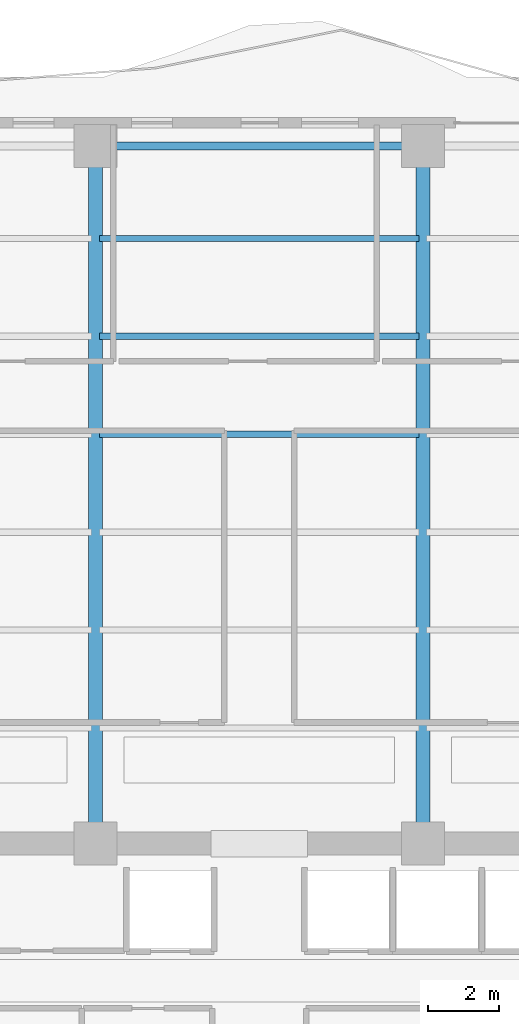
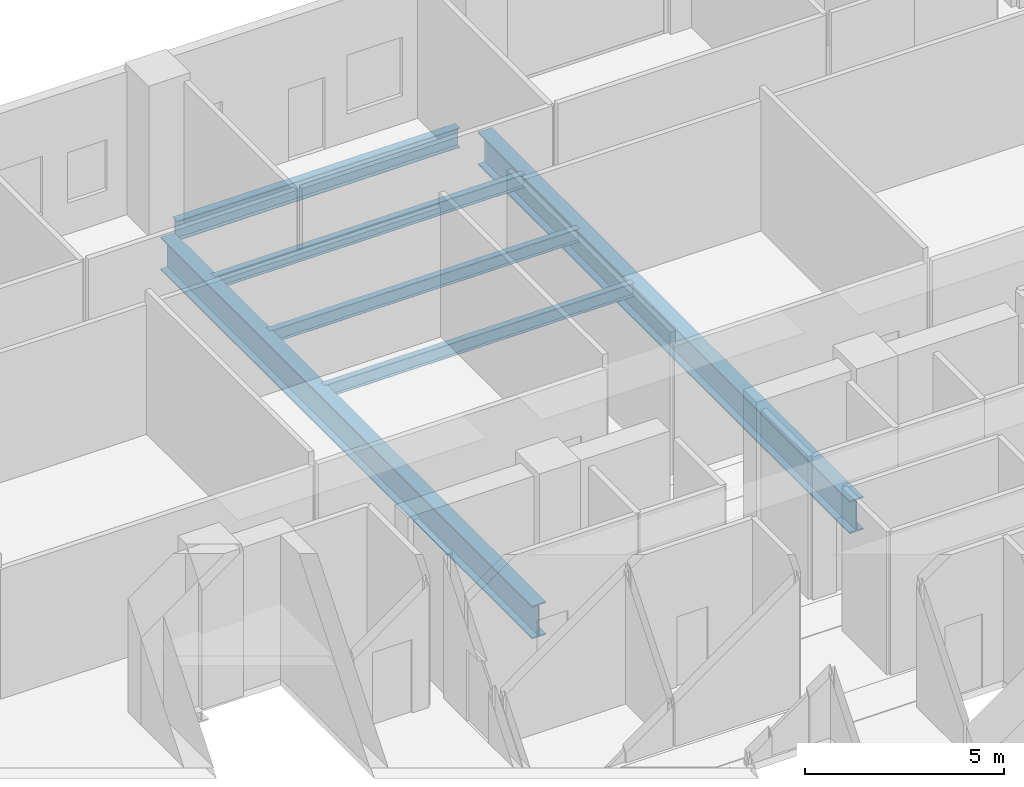
# One storey, part 18 of 31: 6 beams.
"""IFC4 building model written with IfcOpenShell, lengths in metres."""

from ifc_helpers import new_model, si_unit, direction, frame, origin, origin_2d, place, context, subcontext, project, spatial, i_section, extrude, material, material_profile, profile_set, type_object, element, save


model = new_model("IFC4")

# Units and contexts
model_context = context("Model", 3, precision=1e-05, world=origin(), true_north=direction((0.0, 1.0)))
body_context = subcontext(model_context, "Body", "Model", "MODEL_VIEW")
ifc_project = project(units=[si_unit("LENGTHUNIT", "METRE"), si_unit("AREAUNIT", "SQUARE_METRE"), si_unit("VOLUMEUNIT", "CUBIC_METRE"), si_unit("PLANEANGLEUNIT", "RADIAN"), si_unit("MASSUNIT", "GRAM", prefix="KILO")], contexts=[model_context])

# Site, building, storey
site_placement = place(None, origin())
site = spatial("IfcSite", under=ifc_project, at=site_placement, CompositionType="ELEMENT")
building_placement = place(site_placement, origin())
building = spatial("IfcBuilding", under=site, at=building_placement, Name="Zuhayl Quay Hotel", CompositionType="ELEMENT")
storey_placement = place(building_placement, frame((0.0, 0.0, 172.800048828125)))
storey = spatial("IfcBuildingStorey", under=building, at=storey_placement, Name="L43", CompositionType="ELEMENT", Elevation=172.800048828125)

# Beams
ifc_material = material(Name="Steel ASTM A992 Grade 50", Category="steel")
ifc_material_profile_1 = material_profile(ifc_material, i_section(OverallWidth=0.22802734375, OverallDepth=0.60693359375, WebThickness=0.01123046875, FlangeThickness=0.017333984375, at=origin_2d()), Name="W24X76")
ifc_profile_set_1 = profile_set([ifc_material_profile_1], Name="Steel ASTM A992 Grade 50")
beam_type_1 = type_object("IfcBeamType", Name="BM_B3_W24X76", PredefinedType="BEAM", material=ifc_profile_set_1)
beam_placement = place(storey_placement, frame((4.10009765625, 32.949951171875, -0.5234375), z_axis=(-1.0, 0.0, 0.0), x_axis=(0.0, -1.0, 0.0)))
element("IfcBeam", 1, at=beam_placement, inside=storey, type_object=beam_type_1, Name="L43 Floor Beam RG_L43_08", PredefinedType="BEAM", context=body_context, shape_type="SweptSolid", body=[
    extrude(i_section(OverallWidth=0.22802734375, OverallDepth=0.60693359375, WebThickness=0.01123046875, FlangeThickness=0.017333984375, at=origin_2d()), origin(), (0.0, 0.0, 1.0), 8.2001953125),
])
ifc_material_profile_2 = material_profile(ifc_material, i_section(OverallWidth=0.177978515625, OverallDepth=0.406005859375, WebThickness=0.0078125, FlangeThickness=0.0126953125, at=origin_2d()), Name="W16X40")
ifc_profile_set_2 = profile_set([ifc_material_profile_2], Name="Steel ASTM A992 Grade 50")
beam_type_2 = type_object("IfcBeamType", Name="BM_J2B_W16X40", PredefinedType="JOIST", material=ifc_profile_set_2)
for number, where, z_axis, x_axis, name in (
    (2, (-4.493896484375, 24.85009765625, -0.423095703125), (1.0, 0.0, 0.0), (0.0, 1.0, 0.0), "L43 Floor Beam FJ_L43_4_2"),
    (3, (-4.493896484375, 27.60009765625, -0.423095703125), (1.0, 0.0, 0.0), (0.0, 1.0, 0.0), "L43 Floor Beam FJ_L43_5_2"),
    (4, (-4.493896484375, 30.35009765625, -0.423095703125), (1.0, 0.0, 0.0), (0.0, 1.0, 0.0), "L43 Floor Beam FJ_L43_6_2"),
):
    element("IfcBeam", number, at=place(storey_placement, frame(where, z_axis=z_axis, x_axis=x_axis)), inside=storey, type_object=beam_type_2, Name=name, PredefinedType="JOIST", context=body_context, shape_type="SweptSolid", body=[
        extrude(i_section(OverallWidth=0.177978515625, OverallDepth=0.406005859375, WebThickness=0.0078125, FlangeThickness=0.0126953125, at=origin_2d()), origin(), (0.0, 0.0, 1.0), 8.98779296875),
    ])
ifc_material_profile_3 = material_profile(ifc_material, i_section(OverallWidth=0.40087890625, OverallDepth=1.010986328125, WebThickness=0.023681640625, FlangeThickness=0.0419921875, at=origin_2d()), Name="W40X297")
ifc_profile_set_3 = profile_set([ifc_material_profile_3], Name="Steel ASTM A992 Grade 50")
beam_type_3 = type_object("IfcBeamType", Name="BM_TG2_W40X297", PredefinedType="BEAM", material=ifc_profile_set_3)
for number, where, z_axis, x_axis, name in (
    (5, (-4.60009765625, 13.800048828125, -0.7255859375), (0.0, 1.0, 0.0), (-1.0, 0.0, 0.0), "L43 Floor Beam FG_N_L43_2"),
    (6, (4.60009765625, 13.800048828125, -0.7255859375), (0.0, 1.0, 0.0), (-1.0, 0.0, 0.0), "L43 Floor Beam FG_N_L43_3"),
):
    element("IfcBeam", number, at=place(storey_placement, frame(where, z_axis=z_axis, x_axis=x_axis)), inside=storey, type_object=beam_type_3, Name=name, PredefinedType="BEAM", context=body_context, shape_type="SweptSolid", body=[
        extrude(i_section(OverallWidth=0.40087890625, OverallDepth=1.010986328125, WebThickness=0.023681640625, FlangeThickness=0.0419921875, at=origin_2d()), origin(), (0.0, 0.0, 1.0), 18.64990234375),
    ])

save(model, "model.ifc")
